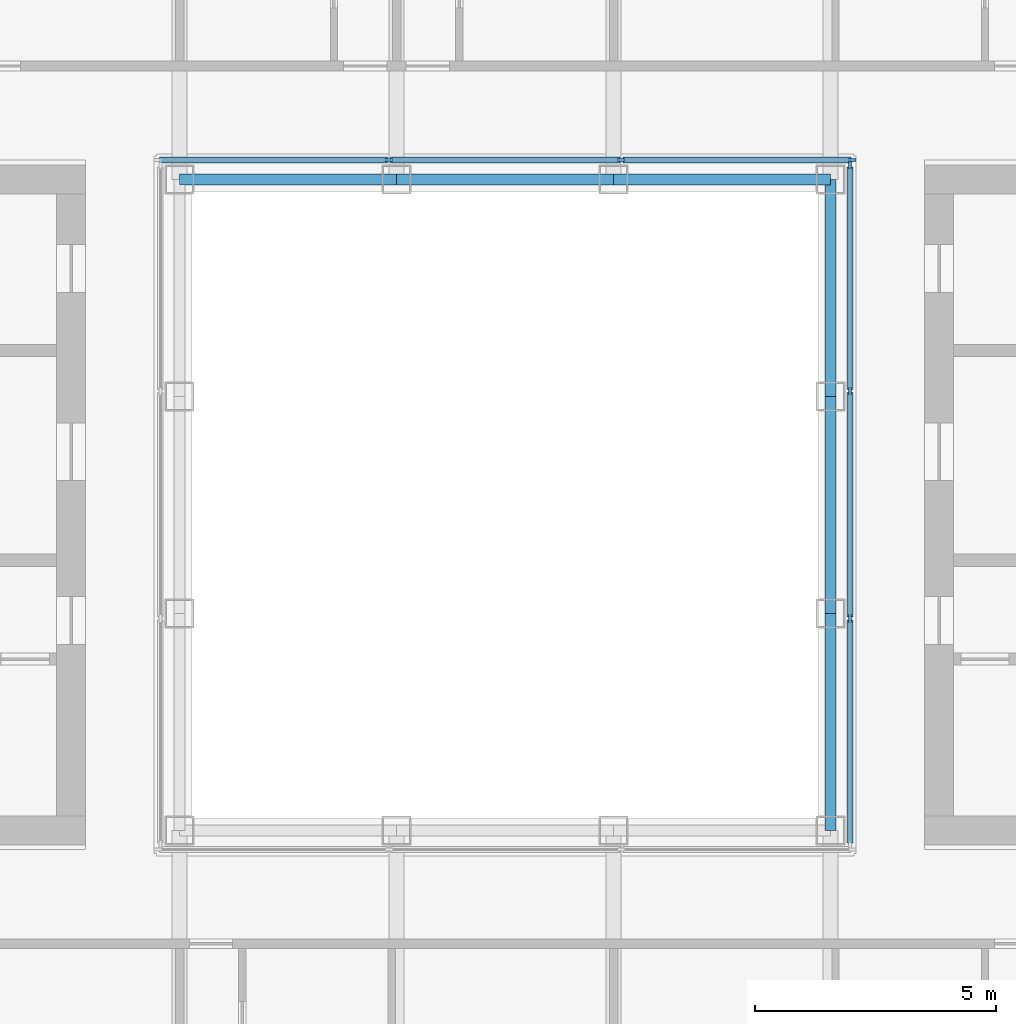
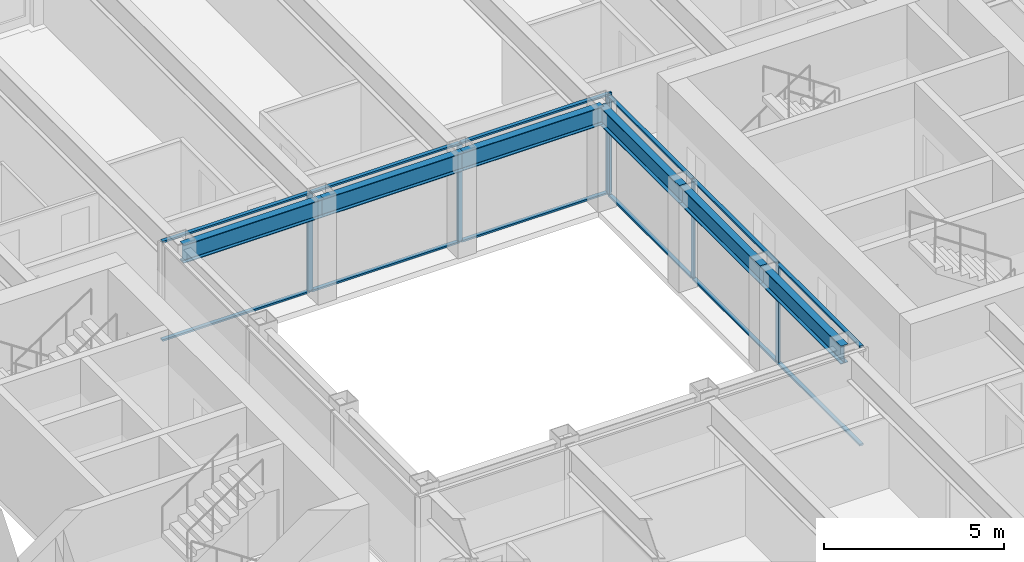
# One storey, part 5 of 17: 18 members, 6 beams, 2 elements without a shape of their own.
"""IFC4 building model written with IfcOpenShell, lengths in metres."""

from ifc_helpers import new_model, si_unit, direction, frame, origin, origin_2d, place, context, subcontext, project, spatial, rectangle, i_section, extrude, material, material_profile, profile_set, type_object, element, aggregate, save


model = new_model("IFC4")

# Units and contexts
model_context = context("Model", 3, precision=1e-05, world=origin(), true_north=direction((0.0, 1.0)))
body_context = subcontext(model_context, "Body", "Model", "MODEL_VIEW")
ifc_project = project(units=[si_unit("LENGTHUNIT", "METRE"), si_unit("AREAUNIT", "SQUARE_METRE"), si_unit("VOLUMEUNIT", "CUBIC_METRE"), si_unit("PLANEANGLEUNIT", "RADIAN"), si_unit("MASSUNIT", "GRAM", prefix="KILO")], contexts=[model_context])

# Site, building, storey
site_placement = place(None, origin())
site = spatial("IfcSite", under=ifc_project, at=site_placement, CompositionType="ELEMENT")
building_placement = place(site_placement, origin())
building = spatial("IfcBuilding", under=site, at=building_placement, Name="Msasa Ring Tower", CompositionType="ELEMENT")
storey_placement = place(building_placement, frame((0.0, 0.0, 176.0)))
storey = spatial("IfcBuildingStorey", under=building, at=storey_placement, Name="L46", CompositionType="ELEMENT", Elevation=176.0)

# Curtain wall, members
ifc_material_1 = material(Name="Aluminium curtain wall with clear glass", Category="aluminium")
curtain_wall_type = type_object("IfcCurtainWallType", Name="CW-W LIGHT WELL CURTAIN WALL", PredefinedType="NOTDEFINED", material=ifc_material_1)
curtain_wall_1_placement = place(storey_placement, origin())
curtain_wall_1 = element("IfcCurtainWall", 1, at=curtain_wall_1_placement, inside=storey, type_object=curtain_wall_type, Name="Light well curtain wall N L46", PredefinedType="NOTDEFINED")
ifc_material_2 = material(Name="Aluminium mullion", Category="aluminium")
ifc_material_profile_1 = material_profile(ifc_material_2, rectangle(XDim=0.06005859375, YDim=0.159912109375, at=origin_2d()), Name="AL 60x160")
ifc_profile_set_1 = profile_set([ifc_material_profile_1], Name="Aluminium mullion")
member_type_1 = type_object("IfcMemberType", Name="CW-W MULLION 60x160", PredefinedType="MULLION", material=ifc_profile_set_1)
member_1_placement = place(storey_placement, frame((-2.409912109375, 7.14990234375, 0.0), z_axis=(0.0, 0.0, 1.0), x_axis=(0.0, 1.0, 0.0)))
member_1 = element("IfcMember", 2, at=member_1_placement, type_object=member_type_1, Name="CW-W mullion 2", PredefinedType="MULLION", context=body_context, shape_type="SweptSolid", body=[
    extrude(rectangle(XDim=0.06005859375, YDim=0.159912109375, at=origin_2d()), origin(), (0.0, 0.0, 1.0), 3.39990234375),
])
member_2_placement = place(storey_placement, frame((2.409912109375, 7.14990234375, 0.0), z_axis=(0.0, 0.0, 1.0), x_axis=(0.0, 1.0, 0.0)))
member_2 = element("IfcMember", 3, at=member_2_placement, type_object=member_type_1, Name="CW-W mullion 3", PredefinedType="MULLION", context=body_context, shape_type="SweptSolid", body=[
    extrude(rectangle(XDim=0.06005859375, YDim=0.159912109375, at=origin_2d()), origin(), (0.0, 0.0, 1.0), 3.39990234375),
])
member_3_placement = place(storey_placement, frame((7.199951171875, 7.14990234375, 0.0), z_axis=(0.0, 0.0, 1.0), x_axis=(0.0, 1.0, 0.0)))
member_3 = element("IfcMember", 4, at=member_3_placement, type_object=member_type_1, Name="CW-W mullion 4", PredefinedType="MULLION", context=body_context, shape_type="SweptSolid", body=[
    extrude(rectangle(XDim=0.06005859375, YDim=0.159912109375, at=origin_2d()), origin(), (0.0, 0.0, 1.0), 3.39990234375),
])

curtain_wall_2_placement = place(storey_placement, origin())
curtain_wall_2 = element("IfcCurtainWall", 5, at=curtain_wall_2_placement, inside=storey, type_object=curtain_wall_type, Name="Light well curtain wall E L46", PredefinedType="NOTDEFINED")
member_4_placement = place(storey_placement, frame((7.14990234375, -2.356689453125, 0.0), z_axis=(0.0, 0.0, 1.0), x_axis=(-1.0, 0.0, 0.0)))
member_4 = element("IfcMember", 6, at=member_4_placement, type_object=member_type_1, Name="CW-W mullion 2", PredefinedType="MULLION", context=body_context, shape_type="SweptSolid", body=[
    extrude(rectangle(XDim=0.06005859375, YDim=0.159912109375, at=origin_2d()), origin(), (0.0, 0.0, 1.0), 3.39990234375),
])
member_5_placement = place(storey_placement, frame((7.14990234375, 2.356689453125, 0.0), z_axis=(0.0, 0.0, 1.0), x_axis=(-1.0, 0.0, 0.0)))
member_5 = element("IfcMember", 7, at=member_5_placement, type_object=member_type_1, Name="CW-W mullion 3", PredefinedType="MULLION", context=body_context, shape_type="SweptSolid", body=[
    extrude(rectangle(XDim=0.06005859375, YDim=0.159912109375, at=origin_2d()), origin(), (0.0, 0.0, 1.0), 3.39990234375),
])
member_6_placement = place(storey_placement, frame((7.14990234375, 7.0400390625, 0.0), z_axis=(0.0, 0.0, 1.0), x_axis=(-1.0, 0.0, 0.0)))
member_6 = element("IfcMember", 8, at=member_6_placement, type_object=member_type_1, Name="CW-W mullion 4", PredefinedType="MULLION", context=body_context, shape_type="SweptSolid", body=[
    extrude(rectangle(XDim=0.06005859375, YDim=0.159912109375, at=origin_2d()), origin(), (0.0, 0.0, 1.0), 3.39990234375),
])

# Member
ifc_material_3 = material(Name="Aluminium transom", Category="aluminium")
ifc_material_profile_2 = material_profile(ifc_material_3, rectangle(XDim=0.1201171875, YDim=0.06005859375, at=origin_2d()), Name="AL 60x120")
ifc_profile_set_2 = profile_set([ifc_material_profile_2], Name="Aluminium transom")
member_type_2 = type_object("IfcMemberType", Name="CW-W TRANSOM 60x120", PredefinedType="USERDEFINED", material=ifc_profile_set_2)
member_7_placement = place(storey_placement, frame((-7.169921875, 7.14990234375, 0.030029296875), z_axis=(1.0, 0.0, 0.0), x_axis=(0.0, 1.0, 0.0)))
member_7 = element("IfcMember", 9, at=member_7_placement, type_object=member_type_2, Name="CW-W transom 1.1", ObjectType="TRANSOM", PredefinedType="USERDEFINED", context=body_context, shape_type="SweptSolid", body=[
    extrude(rectangle(XDim=0.1201171875, YDim=0.06005859375, at=origin_2d()), origin(), (0.0, 0.0, 1.0), 4.72998046875),
])

member_8_placement = place(storey_placement, frame((-7.169921875, 7.14990234375, 3.3701171875), z_axis=(1.0, 0.0, 0.0), x_axis=(0.0, 1.0, 0.0)))
member_8 = element("IfcMember", 10, at=member_8_placement, type_object=member_type_2, Name="CW-W transom 1.2", ObjectType="TRANSOM", PredefinedType="USERDEFINED", context=body_context, shape_type="SweptSolid", body=[
    extrude(rectangle(XDim=0.1201171875, YDim=0.06005859375, at=origin_2d()), origin(), (0.0, 0.0, 1.0), 4.72998046875),
])

member_9_placement = place(storey_placement, frame((-2.3798828125, 7.14990234375, 0.030029296875), z_axis=(1.0, 0.0, 0.0), x_axis=(0.0, 1.0, 0.0)))
member_9 = element("IfcMember", 11, at=member_9_placement, type_object=member_type_2, Name="CW-W transom 2.1", ObjectType="TRANSOM", PredefinedType="USERDEFINED", context=body_context, shape_type="SweptSolid", body=[
    extrude(rectangle(XDim=0.1201171875, YDim=0.06005859375, at=origin_2d()), origin(), (0.0, 0.0, 1.0), 4.759765625),
])

member_10_placement = place(storey_placement, frame((-2.3798828125, 7.14990234375, 3.3701171875), z_axis=(1.0, 0.0, 0.0), x_axis=(0.0, 1.0, 0.0)))
member_10 = element("IfcMember", 12, at=member_10_placement, type_object=member_type_2, Name="CW-W transom 2.2", ObjectType="TRANSOM", PredefinedType="USERDEFINED", context=body_context, shape_type="SweptSolid", body=[
    extrude(rectangle(XDim=0.1201171875, YDim=0.06005859375, at=origin_2d()), origin(), (0.0, 0.0, 1.0), 4.759765625),
])

member_11_placement = place(storey_placement, frame((2.43994140625, 7.14990234375, 0.030029296875), z_axis=(1.0, 0.0, 0.0), x_axis=(0.0, 1.0, 0.0)))
member_11 = element("IfcMember", 13, at=member_11_placement, type_object=member_type_2, Name="CW-W transom 3.1", ObjectType="TRANSOM", PredefinedType="USERDEFINED", context=body_context, shape_type="SweptSolid", body=[
    extrude(rectangle(XDim=0.1201171875, YDim=0.06005859375, at=origin_2d()), origin(), (0.0, 0.0, 1.0), 4.72998046875),
])

member_12_placement = place(storey_placement, frame((2.43994140625, 7.14990234375, 3.3701171875), z_axis=(1.0, 0.0, 0.0), x_axis=(0.0, 1.0, 0.0)))
member_12 = element("IfcMember", 14, at=member_12_placement, type_object=member_type_2, Name="CW-W transom 3.2", ObjectType="TRANSOM", PredefinedType="USERDEFINED", context=body_context, shape_type="SweptSolid", body=[
    extrude(rectangle(XDim=0.1201171875, YDim=0.06005859375, at=origin_2d()), origin(), (0.0, 0.0, 1.0), 4.72998046875),
])

aggregate(curtain_wall_1, [member_1, member_2, member_3, member_7, member_8, member_9, member_10, member_11, member_12])

member_13_placement = place(storey_placement, frame((7.14990234375, -7.010009765625, 0.030029296875), z_axis=(0.0, 1.0, 0.0), x_axis=(-1.0, 0.0, 0.0)))
member_13 = element("IfcMember", 15, at=member_13_placement, type_object=member_type_2, Name="CW-W transom 1.1", ObjectType="TRANSOM", PredefinedType="USERDEFINED", context=body_context, shape_type="SweptSolid", body=[
    extrude(rectangle(XDim=0.1201171875, YDim=0.06005859375, at=origin_2d()), origin(), (0.0, 0.0, 1.0), 4.623291015625),
])

member_14_placement = place(storey_placement, frame((7.14990234375, -7.010009765625, 3.3701171875), z_axis=(0.0, 1.0, 0.0), x_axis=(-1.0, 0.0, 0.0)))
member_14 = element("IfcMember", 16, at=member_14_placement, type_object=member_type_2, Name="CW-W transom 1.2", ObjectType="TRANSOM", PredefinedType="USERDEFINED", context=body_context, shape_type="SweptSolid", body=[
    extrude(rectangle(XDim=0.1201171875, YDim=0.06005859375, at=origin_2d()), origin(), (0.0, 0.0, 1.0), 4.623291015625),
])

member_15_placement = place(storey_placement, frame((7.14990234375, -2.32666015625, 0.030029296875), z_axis=(0.0, 1.0, 0.0), x_axis=(-1.0, 0.0, 0.0)))
member_15 = element("IfcMember", 17, at=member_15_placement, type_object=member_type_2, Name="CW-W transom 2.1", ObjectType="TRANSOM", PredefinedType="USERDEFINED", context=body_context, shape_type="SweptSolid", body=[
    extrude(rectangle(XDim=0.1201171875, YDim=0.06005859375, at=origin_2d()), origin(), (0.0, 0.0, 1.0), 4.6533203125),
])

member_16_placement = place(storey_placement, frame((7.14990234375, -2.32666015625, 3.3701171875), z_axis=(0.0, 1.0, 0.0), x_axis=(-1.0, 0.0, 0.0)))
member_16 = element("IfcMember", 18, at=member_16_placement, type_object=member_type_2, Name="CW-W transom 2.2", ObjectType="TRANSOM", PredefinedType="USERDEFINED", context=body_context, shape_type="SweptSolid", body=[
    extrude(rectangle(XDim=0.1201171875, YDim=0.06005859375, at=origin_2d()), origin(), (0.0, 0.0, 1.0), 4.6533203125),
])

member_17_placement = place(storey_placement, frame((7.14990234375, 2.38671875, 0.030029296875), z_axis=(0.0, 1.0, 0.0), x_axis=(-1.0, 0.0, 0.0)))
member_17 = element("IfcMember", 19, at=member_17_placement, type_object=member_type_2, Name="CW-W transom 3.1", ObjectType="TRANSOM", PredefinedType="USERDEFINED", context=body_context, shape_type="SweptSolid", body=[
    extrude(rectangle(XDim=0.1201171875, YDim=0.06005859375, at=origin_2d()), origin(), (0.0, 0.0, 1.0), 4.623291015625),
])

member_18_placement = place(storey_placement, frame((7.14990234375, 2.38671875, 3.3701171875), z_axis=(0.0, 1.0, 0.0), x_axis=(-1.0, 0.0, 0.0)))
member_18 = element("IfcMember", 20, at=member_18_placement, type_object=member_type_2, Name="CW-W transom 3.2", ObjectType="TRANSOM", PredefinedType="USERDEFINED", context=body_context, shape_type="SweptSolid", body=[
    extrude(rectangle(XDim=0.1201171875, YDim=0.06005859375, at=origin_2d()), origin(), (0.0, 0.0, 1.0), 4.623291015625),
])

aggregate(curtain_wall_2, [member_4, member_5, member_6, member_13, member_14, member_15, member_16, member_17, member_18])

# Beams
ifc_material_4 = material(Name="Steel S355", Category="steel")
ifc_material_profile_3 = material_profile(ifc_material_4, i_section(OverallWidth=0.230224609375, OverallDepth=0.6171875, WebThickness=0.01318359375, FlangeThickness=0.022216796875, FilletRadius=0.0126953125, at=origin_2d()), Name="UB 610x229x140")
ifc_profile_set_3 = profile_set([ifc_material_profile_3], Name="Steel S355")
beam_type = type_object("IfcBeamType", Name="RB1 UB 610x229x140", PredefinedType="BEAM", material=ifc_profile_set_3)
for number, where, z_axis, x_axis, name in (
    (21, (6.75, -6.75, 3.09130859375), (0.0, 1.0, 0.0), (-1.0, 0.0, 0.0), "Inner ring beam IR+6.75-6.75 under L47"),
    (22, (6.75, -2.25, 3.09130859375), (0.0, 1.0, 0.0), (-1.0, 0.0, 0.0), "Inner ring beam IR+6.75-2.25 under L47"),
    (23, (6.75, 2.25, 3.09130859375), (0.0, 1.0, 0.0), (-1.0, 0.0, 0.0), "Inner ring beam IR+6.75+2.25 under L47"),
    (24, (6.75, 6.75, 3.09130859375), (-1.0, 0.0, 0.0), (0.0, -1.0, 0.0), "Inner ring beam IR+6.75+6.75 under L47"),
    (25, (2.25, 6.75, 3.09130859375), (-1.0, 0.0, 0.0), (0.0, -1.0, 0.0), "Inner ring beam IR+2.25+6.75 under L47"),
    (26, (-2.25, 6.75, 3.09130859375), (-1.0, 0.0, 0.0), (0.0, -1.0, 0.0), "Inner ring beam IR-2.25+6.75 under L47"),
):
    element("IfcBeam", number, at=place(storey_placement, frame(where, z_axis=z_axis, x_axis=x_axis)), inside=storey, type_object=beam_type, Name=name, PredefinedType="BEAM", context=body_context, shape_type="SweptSolid", body=[
        extrude(i_section(OverallWidth=0.230224609375, OverallDepth=0.6171875, WebThickness=0.01318359375, FlangeThickness=0.022216796875, FilletRadius=0.0126953125, at=origin_2d()), origin(), (0.0, 0.0, 1.0), 4.5),
    ])

save(model, "model.ifc")
